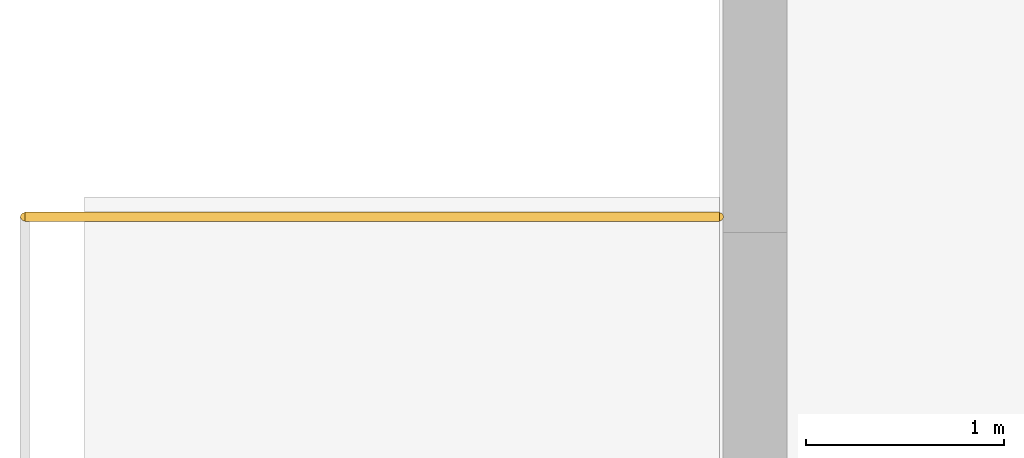
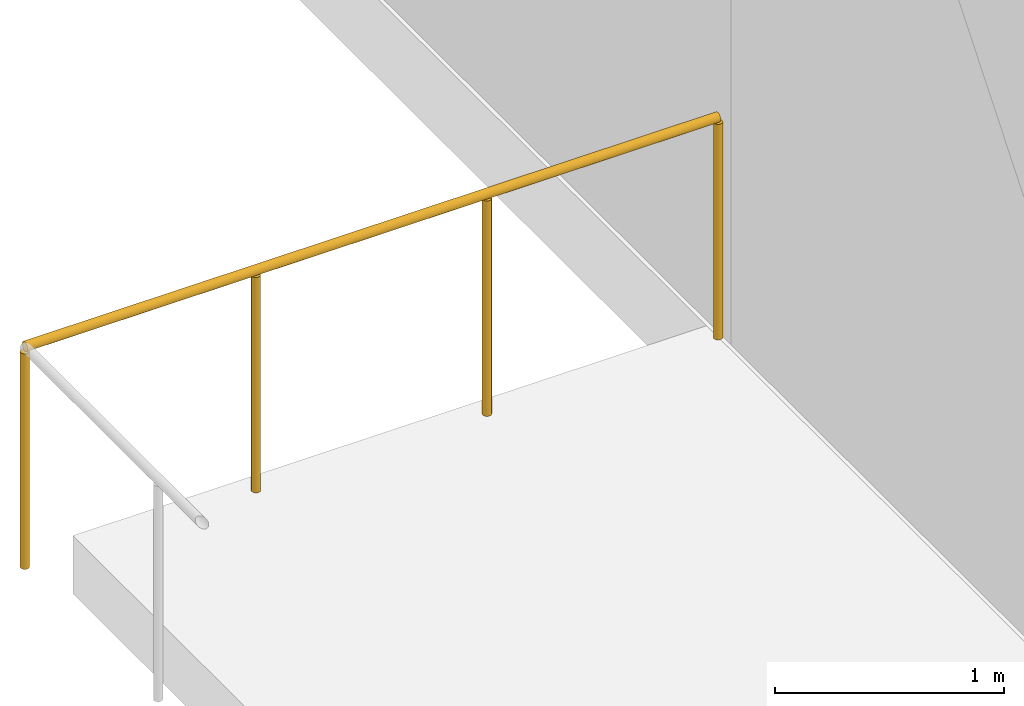
# One storey, part 27 of 29: 1 railing.
"""IFC4 building model written with IfcOpenShell, lengths in metres."""

from ifc_helpers import new_model, si_unit, direction, frame, origin, origin_2d, place, context, subcontext, project, spatial, circle, extrude, material, type_object, element, save


model = new_model("IFC4")

# Units and contexts
model_context = context("Model", 3, precision=1e-05, world=origin(), true_north=direction((0.0, 1.0)))
body_context = subcontext(model_context, "Body", "Model", "MODEL_VIEW")
ifc_project = project(units=[si_unit("LENGTHUNIT", "METRE"), si_unit("AREAUNIT", "SQUARE_METRE"), si_unit("VOLUMEUNIT", "CUBIC_METRE"), si_unit("PLANEANGLEUNIT", "RADIAN"), si_unit("MASSUNIT", "GRAM", prefix="KILO")], contexts=[model_context])

# Site, building, storey
site_placement = place(None, origin())
site = spatial("IfcSite", under=ifc_project, at=site_placement, CompositionType="ELEMENT")
building_placement = place(site_placement, origin())
building = spatial("IfcBuilding", under=site, at=building_placement, Name="Nahalor Promenade Grand Hotel", CompositionType="ELEMENT")
storey_placement = place(building_placement, frame((0.0, 0.0, 27.0)))
storey = spatial("IfcBuildingStorey", under=building, at=storey_placement, Name="L05", CompositionType="ELEMENT", Elevation=27.0)

# Railing
ifc_material = material(Name="Anodised Bronze Aluminium EN AW-6063 T6", Category="aluminium")
railing_type = type_object("IfcRailingType", Name="Bronze Balcony Guardrail 1200 mm", PredefinedType="GUARDRAIL", material=ifc_material)
railing_placement = place(storey_placement, frame((-33.5, 16.89990234375, 0.0)))
element("IfcRailing", 1, at=railing_placement, inside=storey, type_object=railing_type, Name="L05 Edge Guardrail RL-L05-TERR-W-3", PredefinedType="GUARDRAIL", context=body_context, shape_type="SweptSolid", body=[
    extrude(circle(Radius=0.024048, at=origin_2d()), frame((0.0, 0.0, 1.17578125), z_axis=(1.0, 0.0, 0.0), x_axis=(0.0, 1.0, 0.0)), (0.0, 0.0, 1.0), 3.5),
    extrude(circle(Radius=0.020996, at=origin_2d()), origin(), (0.0, 0.0, 1.0), 1.14990234375),
    extrude(circle(Radius=0.020996, at=origin_2d()), frame((1.166748046875, 0.0, 0.0)), (0.0, 0.0, 1.0), 1.14990234375),
    extrude(circle(Radius=0.020996, at=origin_2d()), frame((2.333251953125, 0.0, 0.0)), (0.0, 0.0, 1.0), 1.14990234375),
    extrude(circle(Radius=0.020996, at=origin_2d()), frame((3.5, 0.0, 0.0)), (0.0, 0.0, 1.0), 1.14990234375),
])

save(model, "model.ifc")
